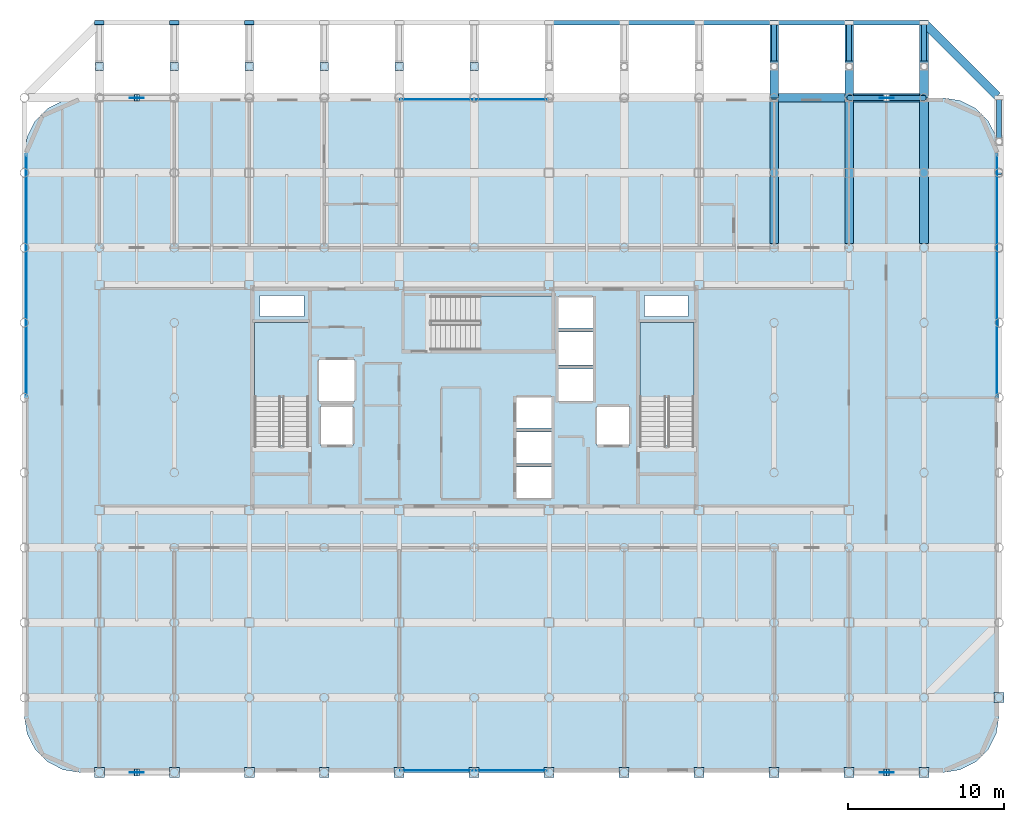
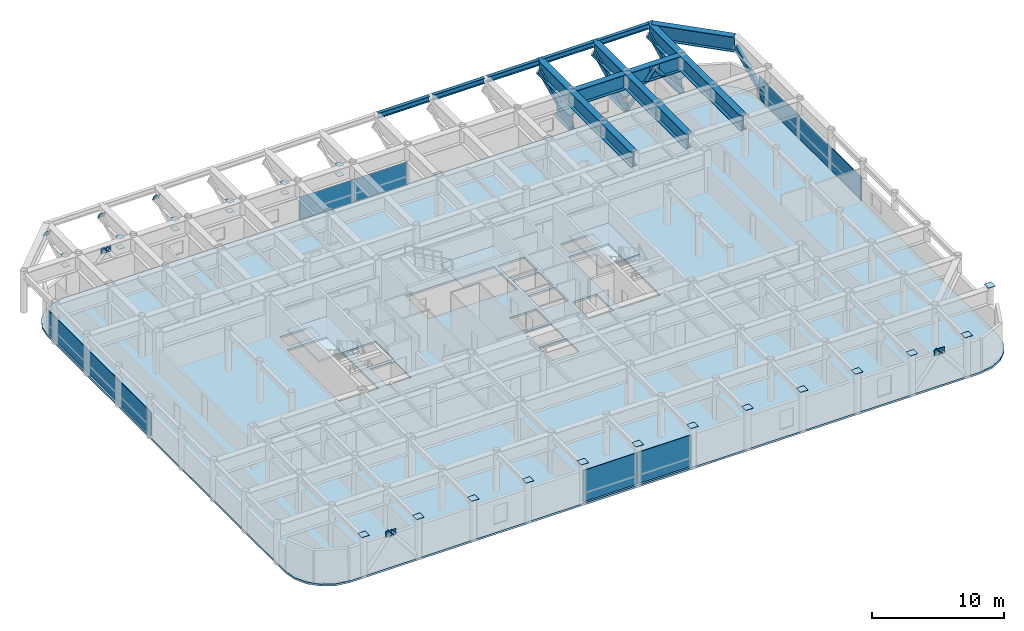
# One storey, part 19 of 24: 44 plates, 14 beams, 6 members, 4 slabs, 7 elements without a shape of their own.
"""IFC4 building model written with IfcOpenShell, lengths in metres."""

from ifc_helpers import new_model, si_unit, direction, frame, origin, origin_2d, place, context, subcontext, project, spatial, polyline, rectangle, hollow_rectangle, hollow_circle, i_section, outline, extrude, material, layer, layer_set, material_profile, profile_set, type_object, element, aggregate, save


model = new_model("IFC4")

# Units and contexts
model_context = context("Model", 3, precision=1e-05, world=origin(), true_north=direction((0.0, 1.0)))
body_context = subcontext(model_context, "Body", "Model", "MODEL_VIEW")
ifc_project = project(units=[si_unit("LENGTHUNIT", "METRE"), si_unit("AREAUNIT", "SQUARE_METRE"), si_unit("VOLUMEUNIT", "CUBIC_METRE"), si_unit("PLANEANGLEUNIT", "RADIAN"), si_unit("MASSUNIT", "GRAM", prefix="KILO")], contexts=[model_context])

# Site, building, storey
site_placement = place(None, origin())
site = spatial("IfcSite", under=ifc_project, at=site_placement, CompositionType="ELEMENT")
building_placement = place(site_placement, origin())
building = spatial("IfcBuilding", under=site, at=building_placement, Name="Kallvorn Hotel Tower", CompositionType="ELEMENT")
storey_placement = place(building_placement, frame((0.0, 0.0, 218.449951171875)))
storey = spatial("IfcBuildingStorey", under=building, at=storey_placement, Name="L54", CompositionType="ELEMENT", Elevation=218.449951171875)

# Beams
ifc_material_1 = material(Name="Structural steel S355JR", Category="steel")
ifc_material_profile_1 = material_profile(ifc_material_1, i_section(OverallWidth=0.300048828125, OverallDepth=0.5, WebThickness=0.014404296875, FlangeThickness=0.028076171875, at=origin_2d()), Name="HE 500 B")
ifc_profile_set_1 = profile_set([ifc_material_profile_1], Name="Structural steel S355JR")
beam_type_1 = type_object("IfcBeamType", Name="BM_HE500B", PredefinedType="SPANDREL", material=ifc_profile_set_1)
for number, where, z_axis, x_axis, name in (
    (1, (4.949951171875, 24.0, 3.420166015625), (1.0, 0.0, 0.0), (0.0, 1.0, 0.0), "L55 Perimeter Spandrel 182"),
    (2, (9.75, 24.0, 3.420166015625), (1.0, 0.0, 0.0), (0.0, 1.0, 0.0), "L55 Perimeter Spandrel 183"),
    (3, (14.550048828125, 24.0, 3.420166015625), (1.0, 0.0, 0.0), (0.0, 1.0, 0.0), "L55 Perimeter Spandrel 184"),
    (4, (19.35009765625, 24.0, 3.420166015625), (1.0, 0.0, 0.0), (0.0, 1.0, 0.0), "L55 Perimeter Spandrel 185"),
    (5, (24.14990234375, 24.0, 3.420166015625), (1.0, 0.0, 0.0), (0.0, 1.0, 0.0), "L55 Perimeter Spandrel 186"),
):
    element("IfcBeam", number, at=place(storey_placement, frame(where, z_axis=z_axis, x_axis=x_axis)), inside=storey, type_object=beam_type_1, Name=name, PredefinedType="SPANDREL", context=body_context, shape_type="SweptSolid", body=[
        extrude(i_section(OverallWidth=0.300048828125, OverallDepth=0.5, WebThickness=0.014404296875, FlangeThickness=0.028076171875, at=origin_2d()), origin(), (0.0, 0.0, 1.0), 4.5),
    ])
ifc_material_2 = material(Name="Structural steel S355JR", Category="steel")
ifc_material_profile_2 = material_profile(ifc_material_2, i_section(OverallWidth=0.550048828125, OverallDepth=1.39990234375, WebThickness=0.02490234375, FlangeThickness=0.044921875, at=origin_2d()), Name="PG 1400x550x25x45")
ifc_profile_set_2 = profile_set([ifc_material_profile_2], Name="Structural steel S355JR")
beam_type_2 = type_object("IfcBeamType", Name="BM_PG_1400", PredefinedType="BEAM", material=ifc_profile_set_2)
beam_1_placement = place(storey_placement, frame((19.199951171875, 9.869384765625, 2.969970703125), z_axis=(0.0, 1.0, 0.0), x_axis=(-1.0, 0.0, 0.0)))
element("IfcBeam", 6, at=beam_1_placement, inside=storey, type_object=beam_type_2, Name="L55 Continuous Cantilever Transfer Girder 10", PredefinedType="BEAM", context=body_context, shape_type="SweptSolid", body=[
    extrude(i_section(OverallWidth=0.550048828125, OverallDepth=1.39990234375, WebThickness=0.02490234375, FlangeThickness=0.044921875, at=origin_2d()), origin(), (0.0, 0.0, 1.0), 14.310546875),
])
beam_2_placement = place(storey_placement, frame((19.199951171875, 19.199951171875, 0.719970703125), z_axis=(0.0, 1.0, 0.0), x_axis=(-1.0, 0.0, 0.0)))
element("IfcBeam", 7, at=beam_2_placement, inside=storey, type_object=beam_type_2, Name="L55 Cantilever Haunch Corbel 10", PredefinedType="BEAM", context=body_context, shape_type="SweptSolid", body=[
    extrude(i_section(OverallWidth=0.550048828125, OverallDepth=1.39990234375, WebThickness=0.02490234375, FlangeThickness=0.044921875, at=origin_2d()), origin(), (0.0, 0.0, 1.0), 2.35009765625),
])
beam_3_placement = place(storey_placement, frame((24.0, 9.869384765625, 2.969970703125), z_axis=(0.0, 1.0, 0.0), x_axis=(-1.0, 0.0, 0.0)))
element("IfcBeam", 8, at=beam_3_placement, inside=storey, type_object=beam_type_2, Name="L55 Continuous Cantilever Transfer Girder 11", PredefinedType="BEAM", context=body_context, shape_type="SweptSolid", body=[
    extrude(i_section(OverallWidth=0.550048828125, OverallDepth=1.39990234375, WebThickness=0.02490234375, FlangeThickness=0.044921875, at=origin_2d()), origin(), (0.0, 0.0, 1.0), 14.310546875),
])
beam_4_placement = place(storey_placement, frame((24.0, 19.199951171875, 0.719970703125), z_axis=(0.0, 1.0, 0.0), x_axis=(-1.0, 0.0, 0.0)))
element("IfcBeam", 9, at=beam_4_placement, inside=storey, type_object=beam_type_2, Name="L55 Cantilever Haunch Corbel 11", PredefinedType="BEAM", context=body_context, shape_type="SweptSolid", body=[
    extrude(i_section(OverallWidth=0.550048828125, OverallDepth=1.39990234375, WebThickness=0.02490234375, FlangeThickness=0.044921875, at=origin_2d()), origin(), (0.0, 0.0, 1.0), 2.35009765625),
])
beam_5_placement = place(storey_placement, frame((28.800048828125, 9.869384765625, 2.969970703125), z_axis=(0.0, 1.0, 0.0), x_axis=(-1.0, 0.0, 0.0)))
element("IfcBeam", 10, at=beam_5_placement, inside=storey, type_object=beam_type_2, Name="L55 Continuous Cantilever Transfer Girder 12", PredefinedType="BEAM", context=body_context, shape_type="SweptSolid", body=[
    extrude(i_section(OverallWidth=0.550048828125, OverallDepth=1.39990234375, WebThickness=0.02490234375, FlangeThickness=0.044921875, at=origin_2d()), origin(), (0.0, 0.0, 1.0), 14.310546875),
])
beam_6_placement = place(storey_placement, frame((28.800048828125, 19.199951171875, 0.719970703125), z_axis=(0.0, 1.0, 0.0), x_axis=(-1.0, 0.0, 0.0)))
element("IfcBeam", 11, at=beam_6_placement, inside=storey, type_object=beam_type_2, Name="L55 Cantilever Haunch Corbel 12", PredefinedType="BEAM", context=body_context, shape_type="SweptSolid", body=[
    extrude(i_section(OverallWidth=0.550048828125, OverallDepth=1.39990234375, WebThickness=0.02490234375, FlangeThickness=0.044921875, at=origin_2d()), origin(), (0.0, 0.0, 1.0), 2.35009765625),
])
for number, where, z_axis, x_axis, name in (
    (12, (19.45458984375, 19.199951171875, 2.969970703125), (1.0, 0.0, 0.0), (0.0, 1.0, 0.0), "L55 Primary X-Girder 84"),
    (13, (24.25439453125, 19.199951171875, 2.969970703125), (1.0, 0.0, 0.0), (0.0, 1.0, 0.0), "L55 Primary X-Girder 85"),
):
    element("IfcBeam", number, at=place(storey_placement, frame(where, z_axis=z_axis, x_axis=x_axis)), inside=storey, type_object=beam_type_2, Name=name, PredefinedType="BEAM", context=body_context, shape_type="SweptSolid", body=[
        extrude(i_section(OverallWidth=0.550048828125, OverallDepth=1.39990234375, WebThickness=0.02490234375, FlangeThickness=0.044921875, at=origin_2d()), origin(), (0.0, 0.0, 1.0), 4.291015625),
    ])
beam_7_placement = place(storey_placement, frame((33.493896484375, 19.30615234375, 2.969970703125), z_axis=(-0.707125595474, 0.707087966398, 0.0), x_axis=(-0.707087966398, -0.707125595474, 0.0)))
element("IfcBeam", 14, at=beam_7_placement, inside=storey, type_object=beam_type_2, Name="L55 Rounded Corner Tie Beam 204", PredefinedType="BEAM", context=body_context, shape_type="SweptSolid", body=[
    extrude(i_section(OverallWidth=0.550048828125, OverallDepth=1.39990234375, WebThickness=0.02490234375, FlangeThickness=0.044921875, at=origin_2d()), origin(), (0.0, 0.0, 1.0), 6.488037109375),
])

# Members
ifc_material_3 = material(Name="Structural steel S355J2H", Category="steel")
ifc_material_profile_3 = material_profile(ifc_material_3, hollow_circle(Radius=0.177734375, WallThickness=0.01416015625, at=origin_2d()), Name="CHS 355.6x14.2")
ifc_profile_set_3 = profile_set([ifc_material_profile_3], Name="Structural steel S355J2H")
member_type_1 = type_object("IfcMemberType", Name="MBR_EXO_CHS355", PredefinedType="BRACE", material=ifc_profile_set_3)
for number, where, z_axis, x_axis, name in (
    (15, (24.012451171875, 19.199951171875, 0.19580078125), (0.620928510901, 0.0, 0.783867198159), (0.0, 1.0, 0.0), "L54 Exoskeleton K-Brace N2A"),
    (16, (28.78759765625, 19.199951171875, 0.19580078125), (-0.620928510901, 0.0, 0.783867198159), (0.0, -1.0, 0.0), "L54 Exoskeleton K-Brace N2B"),
):
    element("IfcMember", number, at=place(storey_placement, frame(where, z_axis=z_axis, x_axis=x_axis)), inside=storey, type_object=member_type_1, Name=name, PredefinedType="BRACE", context=body_context, shape_type="SweptSolid", body=[
        extrude(hollow_circle(Radius=0.177734375, WallThickness=0.01416015625, at=origin_2d()), origin(), (0.0, 0.0, 1.0), 3.8251953125),
    ])
ifc_material_4 = material(Name="Structural steel S355J2H", Category="steel")
ifc_material_profile_4 = material_profile(ifc_material_4, hollow_rectangle(XDim=0.300048828125, YDim=0.5, WallThickness=0.02490234375, at=origin_2d()), Name="RHS 500x300x25")
ifc_profile_set_4 = profile_set([ifc_material_profile_4], Name="Structural steel S355J2H")
member_type_2 = type_object("IfcMemberType", Name="MBR_OUTRIGGER_RHS500", PredefinedType="BRACE", material=ifc_profile_set_4)
for number, where, z_axis, x_axis, name in (
    (17, (19.199951171875, 19.199951171875, 0.25), (0.0, 0.896650696442, 0.442738668484), (-1.0, 0.0, 0.0), "L55 Exoskeleton Cantilever Raking Strut 10"),
    (18, (24.0, 19.199951171875, 0.25), (0.0, 0.896650696442, 0.442738668484), (-1.0, 0.0, 0.0), "L55 Exoskeleton Cantilever Raking Strut 11"),
    (19, (28.800048828125, 19.199951171875, 0.25), (0.0, 0.896650696442, 0.442738668484), (-1.0, 0.0, 0.0), "L55 Exoskeleton Cantilever Raking Strut 12"),
    (20, (33.60009765625, 14.39990234375, 0.25), (0.0, 0.896650696442, 0.442738668484), (-1.0, 0.0, 0.0), "L55 Exoskeleton Cantilever Raking Strut 13"),
):
    element("IfcMember", number, at=place(storey_placement, frame(where, z_axis=z_axis, x_axis=x_axis)), inside=storey, type_object=member_type_2, Name=name, PredefinedType="BRACE", context=body_context, shape_type="SweptSolid", body=[
        extrude(hollow_rectangle(XDim=0.300048828125, YDim=0.5, WallThickness=0.02490234375, at=origin_2d()), origin(), (0.0, 0.0, 1.0), 5.353271484375),
    ])

# Curtain wall, plates
ifc_material_5 = material(Name="Thermally broken black-anodised aluminium AA 6063-T6", Category="aluminium")
ifc_layer_1 = layer(ifc_material_5, 0.22998046875)
ifc_layer_set_1 = layer_set([ifc_layer_1], Name="CW_SYS_5_HOTEL_HIGH")
curtain_wall_type = type_object("IfcCurtainWallType", Name="CW_SYS_5_HOTEL_HIGH", PredefinedType="USERDEFINED", material=ifc_layer_set_1)
curtain_wall_1_placement = place(storey_placement, origin())
curtain_wall_1 = element("IfcCurtainWall", 21, at=curtain_wall_1_placement, inside=storey, type_object=curtain_wall_type, Name="L54 Dark-Glass Curtain Wall CW-L54-SC", ObjectType="UNITISED CURTAIN WALL", PredefinedType="USERDEFINED")
ifc_material_6 = material(Name="Triple-glazed low-e acoustic solar-control dark glass", Category="glass")
ifc_layer_2 = layer(ifc_material_6, 0.04150390625)
ifc_layer_set_2 = layer_set([ifc_layer_2], Name="CW_SYS_5_HOTEL_HIGH_PANEL")
plate_type_1 = type_object("IfcPlateType", Name="CW_SYS_5_HOTEL_HIGH_PANEL", PredefinedType="CURTAIN_PANEL", material=ifc_layer_set_2)
plate_1_placement = place(storey_placement, frame((-2.375, -23.8798828125, 0.06005859375), z_axis=(0.0, 0.0, 1.0), x_axis=(1.0, 0.0, 0.0)))
plate_1 = element("IfcPlate", 22, at=plate_1_placement, type_object=plate_type_1, Name="CW-L54-SC Vision Glass Panel 00", PredefinedType="CURTAIN_PANEL", context=body_context, shape_type="SweptSolid", body=[
    extrude(rectangle(XDim=4.68994140625, YDim=0.04150390625, at=origin_2d()), origin(), (0.0, 0.0, 1.0), 2.89990234375),
])
plate_2_placement = place(storey_placement, frame((2.375, -23.8798828125, 0.06005859375), z_axis=(0.0, 0.0, 1.0), x_axis=(1.0, 0.0, 0.0)))
plate_2 = element("IfcPlate", 23, at=plate_2_placement, type_object=plate_type_1, Name="CW-L54-SC Vision Glass Panel 01", PredefinedType="CURTAIN_PANEL", context=body_context, shape_type="SweptSolid", body=[
    extrude(rectangle(XDim=4.68994140625, YDim=0.04150390625, at=origin_2d()), origin(), (0.0, 0.0, 1.0), 2.89990234375),
])
aggregate(curtain_wall_1, [plate_1, plate_2])

curtain_wall_2_placement = place(storey_placement, origin())
curtain_wall_2 = element("IfcCurtainWall", 24, at=curtain_wall_2_placement, inside=storey, type_object=curtain_wall_type, Name="L54 Dark-Glass Curtain Wall CW-L54-NC", ObjectType="UNITISED CURTAIN WALL", PredefinedType="USERDEFINED")
plate_3_placement = place(storey_placement, frame((-2.375, 19.080078125, 0.06005859375), z_axis=(0.0, 0.0, 1.0), x_axis=(1.0, 0.0, 0.0)))
plate_3 = element("IfcPlate", 25, at=plate_3_placement, type_object=plate_type_1, Name="CW-L54-NC Vision Glass Panel 00", PredefinedType="CURTAIN_PANEL", context=body_context, shape_type="SweptSolid", body=[
    extrude(rectangle(XDim=4.68994140625, YDim=0.04150390625, at=origin_2d()), origin(), (0.0, 0.0, 1.0), 2.14990234375),
])
plate_4_placement = place(storey_placement, frame((2.375, 19.080078125, 0.06005859375), z_axis=(0.0, 0.0, 1.0), x_axis=(1.0, 0.0, 0.0)))
plate_4 = element("IfcPlate", 26, at=plate_4_placement, type_object=plate_type_1, Name="CW-L54-NC Vision Glass Panel 01", PredefinedType="CURTAIN_PANEL", context=body_context, shape_type="SweptSolid", body=[
    extrude(rectangle(XDim=4.68994140625, YDim=0.04150390625, at=origin_2d()), origin(), (0.0, 0.0, 1.0), 2.14990234375),
])
aggregate(curtain_wall_2, [plate_3, plate_4])

# Curtain wall, plate
curtain_wall_3_placement = place(storey_placement, origin())
curtain_wall_3 = element("IfcCurtainWall", 27, at=curtain_wall_3_placement, inside=storey, type_object=curtain_wall_type, Name="L54 Dark-Glass Curtain Wall CW-L54-WN", ObjectType="UNITISED CURTAIN WALL", PredefinedType="USERDEFINED")
plate_5_placement = place(storey_placement, frame((-28.679931640625, 7.81005859375, 0.06005859375), z_axis=(0.0, 0.0, 1.0), x_axis=(0.0, 1.0, 0.0)))
plate_5 = element("IfcPlate", 28, at=plate_5_placement, type_object=plate_type_1, Name="CW-L54-WN Vision Glass Panel 00", PredefinedType="CURTAIN_PANEL", context=body_context, shape_type="SweptSolid", body=[
    extrude(rectangle(XDim=15.52001953125, YDim=0.04150390625, at=origin_2d()), origin(), (0.0, 0.0, 1.0), 2.14990234375),
])
aggregate(curtain_wall_3, [plate_5])

curtain_wall_4_placement = place(storey_placement, origin())
curtain_wall_4 = element("IfcCurtainWall", 29, at=curtain_wall_4_placement, inside=storey, type_object=curtain_wall_type, Name="L54 Dark-Glass Curtain Wall CW-L54-EN", ObjectType="UNITISED CURTAIN WALL", PredefinedType="USERDEFINED")
plate_6_placement = place(storey_placement, frame((33.47998046875, 7.81005859375, 0.06005859375), z_axis=(0.0, 0.0, 1.0), x_axis=(0.0, 1.0, 0.0)))
plate_6 = element("IfcPlate", 30, at=plate_6_placement, type_object=plate_type_1, Name="CW-L54-EN Vision Glass Panel 00", PredefinedType="CURTAIN_PANEL", context=body_context, shape_type="SweptSolid", body=[
    extrude(rectangle(XDim=15.52001953125, YDim=0.04150390625, at=origin_2d()), origin(), (0.0, 0.0, 1.0), 2.14990234375),
])
aggregate(curtain_wall_4, [plate_6])

# Plates
ifc_material_7 = material(Name="Structural steel S355JR", Category="steel")
ifc_layer_3 = layer(ifc_material_7, 0.030029296875)
ifc_layer_set_3 = layer_set([ifc_layer_3], Name="PLT_CAP_30")
plate_type_2 = type_object("IfcPlateType", Name="PLT_CAP_30", PredefinedType="SHEET", material=ifc_layer_set_3)
for number, where, z_axis, x_axis, name in (
    (31, (-24.0, -24.0, 3.85009765625), (0.0, 0.0, 1.0), (1.0, 0.0, 0.0), "L54 Hollow Column Top End Cap Plate 0243"),
    (32, (-19.199951171875, -24.0, 3.85009765625), (0.0, 0.0, 1.0), (1.0, 0.0, 0.0), "L54 Hollow Column Top End Cap Plate 0244"),
    (33, (-14.39990234375, -24.0, 3.85009765625), (0.0, 0.0, 1.0), (1.0, 0.0, 0.0), "L54 Hollow Column Top End Cap Plate 0245"),
    (34, (-9.60009765625, -24.0, 3.85009765625), (0.0, 0.0, 1.0), (1.0, 0.0, 0.0), "L54 Hollow Column Top End Cap Plate 0246"),
    (35, (-4.800048828125, -24.0, 3.85009765625), (0.0, 0.0, 1.0), (1.0, 0.0, 0.0), "L54 Hollow Column Top End Cap Plate 0247"),
    (36, (0.0, -24.0, 3.85009765625), (0.0, 0.0, 1.0), (1.0, 0.0, 0.0), "L54 Hollow Column Top End Cap Plate 0248"),
    (37, (4.800048828125, -24.0, 3.85009765625), (0.0, 0.0, 1.0), (1.0, 0.0, 0.0), "L54 Hollow Column Top End Cap Plate 0249"),
    (38, (9.60009765625, -24.0, 3.85009765625), (0.0, 0.0, 1.0), (1.0, 0.0, 0.0), "L54 Hollow Column Top End Cap Plate 0250"),
    (39, (14.39990234375, -24.0, 3.85009765625), (0.0, 0.0, 1.0), (1.0, 0.0, 0.0), "L54 Hollow Column Top End Cap Plate 0251"),
    (40, (19.199951171875, -24.0, 3.85009765625), (0.0, 0.0, 1.0), (1.0, 0.0, 0.0), "L54 Hollow Column Top End Cap Plate 0252"),
    (41, (24.0, -24.0, 3.85009765625), (0.0, 0.0, 1.0), (1.0, 0.0, 0.0), "L54 Hollow Column Top End Cap Plate 0253"),
    (42, (28.800048828125, -24.0, 3.85009765625), (0.0, 0.0, 1.0), (1.0, 0.0, 0.0), "L54 Hollow Column Top End Cap Plate 0254"),
    (43, (33.60009765625, -19.199951171875, 3.85009765625), (0.0, 0.0, 1.0), (1.0, 0.0, 0.0), "L54 Hollow Column Top End Cap Plate 0255"),
):
    element("IfcPlate", number, at=place(storey_placement, frame(where, z_axis=z_axis, x_axis=x_axis)), inside=storey, type_object=plate_type_2, Name=name, PredefinedType="SHEET", context=body_context, shape_type="SweptSolid", body=[
        extrude(rectangle(XDim=0.638916015625, YDim=0.638916015625, at=origin_2d()), origin(), (0.0, 0.0, 1.0), 0.030029296875),
    ])
for number, where, z_axis, x_axis, name in (
    (44, (-24.0, 21.199951171875, 1.3701171875), (0.0, 0.0, 1.0), (1.0, 0.0, 0.0), "L54 Prop Column End Cap Plate 01B"),
    (45, (-24.0, 21.199951171875, 2.2900390625), (0.0, 0.0, 1.0), (1.0, 0.0, 0.0), "L54 Prop Column End Cap Plate 01T"),
):
    element("IfcPlate", number, at=place(storey_placement, frame(where, z_axis=z_axis, x_axis=x_axis)), inside=storey, type_object=plate_type_2, Name=name, PredefinedType="SHEET", context=body_context, shape_type="SweptSolid", body=[
        extrude(rectangle(XDim=0.52001953125, YDim=0.52001953125, at=origin_2d()), origin(), (0.0, 0.0, 1.0), 0.030029296875),
    ])
plate_7_placement = place(storey_placement, frame((-23.699951171875, 24.15966796875, 2.3642578125), z_axis=(0.0, 0.896693934951, 0.442651089486), x_axis=(-1.0, 0.0, 0.0)))
element("IfcPlate", 46, at=plate_7_placement, inside=storey, type_object=plate_type_2, Name="L54 Cantilever Strut Node Cap 01", PredefinedType="SHEET", context=body_context, shape_type="SweptSolid", body=[
    extrude(outline(polyline([(0.0, 0.0), (0.60009765625, 0.0), (0.60009765625, 0.6000775922830762), (0.0, 0.6000775922830762), (0.0, 0.0)])), origin(), (0.0, 0.0, -1.0), 0.030029296875),
])
for number, where, z_axis, x_axis, name in (
    (47, (-19.199951171875, 21.199951171875, 1.3701171875), (0.0, 0.0, 1.0), (1.0, 0.0, 0.0), "L54 Prop Column End Cap Plate 02B"),
    (48, (-19.199951171875, 21.199951171875, 2.2900390625), (0.0, 0.0, 1.0), (1.0, 0.0, 0.0), "L54 Prop Column End Cap Plate 02T"),
):
    element("IfcPlate", number, at=place(storey_placement, frame(where, z_axis=z_axis, x_axis=x_axis)), inside=storey, type_object=plate_type_2, Name=name, PredefinedType="SHEET", context=body_context, shape_type="SweptSolid", body=[
        extrude(rectangle(XDim=0.52001953125, YDim=0.52001953125, at=origin_2d()), origin(), (0.0, 0.0, 1.0), 0.030029296875),
    ])
plate_8_placement = place(storey_placement, frame((-18.89990234375, 24.15966796875, 2.3642578125), z_axis=(0.0, 0.896693934951, 0.442651089486), x_axis=(-1.0, 0.0, 0.0)))
element("IfcPlate", 49, at=plate_8_placement, inside=storey, type_object=plate_type_2, Name="L54 Cantilever Strut Node Cap 02", PredefinedType="SHEET", context=body_context, shape_type="SweptSolid", body=[
    extrude(outline(polyline([(0.0, 0.0), (0.60009765625, 0.0), (0.60009765625, 0.6000775922830762), (0.0, 0.6000775922830762), (0.0, 0.0)])), origin(), (0.0, 0.0, -1.0), 0.030029296875),
])
for number, where, z_axis, x_axis, name in (
    (50, (-14.39990234375, 21.199951171875, 1.3701171875), (0.0, 0.0, 1.0), (1.0, 0.0, 0.0), "L54 Prop Column End Cap Plate 03B"),
    (51, (-14.39990234375, 21.199951171875, 2.2900390625), (0.0, 0.0, 1.0), (1.0, 0.0, 0.0), "L54 Prop Column End Cap Plate 03T"),
):
    element("IfcPlate", number, at=place(storey_placement, frame(where, z_axis=z_axis, x_axis=x_axis)), inside=storey, type_object=plate_type_2, Name=name, PredefinedType="SHEET", context=body_context, shape_type="SweptSolid", body=[
        extrude(rectangle(XDim=0.52001953125, YDim=0.52001953125, at=origin_2d()), origin(), (0.0, 0.0, 1.0), 0.030029296875),
    ])
plate_9_placement = place(storey_placement, frame((-14.10009765625, 24.15966796875, 2.3642578125), z_axis=(0.0, 0.896693934951, 0.442651089486), x_axis=(-1.0, 0.0, 0.0)))
element("IfcPlate", 52, at=plate_9_placement, inside=storey, type_object=plate_type_2, Name="L54 Cantilever Strut Node Cap 03", PredefinedType="SHEET", context=body_context, shape_type="SweptSolid", body=[
    extrude(outline(polyline([(0.0, 0.0), (0.599853515625, 0.0), (0.599853515625, 0.6000775922830762), (0.0, 0.6000775922830762), (0.0, 0.0)])), origin(), (0.0, 0.0, -1.0), 0.030029296875),
])
for number, where, z_axis, x_axis, name in (
    (53, (-9.60009765625, 21.199951171875, 1.3701171875), (0.0, 0.0, 1.0), (1.0, 0.0, 0.0), "L54 Prop Column End Cap Plate 04B"),
    (54, (-9.60009765625, 21.199951171875, 2.2900390625), (0.0, 0.0, 1.0), (1.0, 0.0, 0.0), "L54 Prop Column End Cap Plate 04T"),
    (55, (-4.800048828125, 21.199951171875, 1.3701171875), (0.0, 0.0, 1.0), (1.0, 0.0, 0.0), "L54 Prop Column End Cap Plate 05B"),
    (56, (-4.800048828125, 21.199951171875, 2.2900390625), (0.0, 0.0, 1.0), (1.0, 0.0, 0.0), "L54 Prop Column End Cap Plate 05T"),
    (57, (0.0, 21.199951171875, 1.3701171875), (0.0, 0.0, 1.0), (1.0, 0.0, 0.0), "L54 Prop Column End Cap Plate 06B"),
    (58, (0.0, 21.199951171875, 2.2900390625), (0.0, 0.0, 1.0), (1.0, 0.0, 0.0), "L54 Prop Column End Cap Plate 06T"),
):
    element("IfcPlate", number, at=place(storey_placement, frame(where, z_axis=z_axis, x_axis=x_axis)), inside=storey, type_object=plate_type_2, Name=name, PredefinedType="SHEET", context=body_context, shape_type="SweptSolid", body=[
        extrude(rectangle(XDim=0.52001953125, YDim=0.52001953125, at=origin_2d()), origin(), (0.0, 0.0, 1.0), 0.030029296875),
    ])
plate_10_placement = place(storey_placement, frame((-21.423095703125, -24.2177734375, 3.082763671875), z_axis=(0.620789123174, 0.0, 0.783977591867), x_axis=(0.0, 1.0, 0.0)))
element("IfcPlate", 59, at=plate_10_placement, inside=storey, type_object=plate_type_2, Name="EXO-L54-S1A End Cap Plate B", PredefinedType="SHEET", context=body_context, shape_type="SweptSolid", body=[
    extrude(outline(polyline([(0.0, 0.0), (0.435546875, 0.0), (0.435546875, 0.4353550373005464), (0.0, 0.4353550373005464), (0.0, 0.0)])), origin(), (0.0, 0.0, -1.0), 0.030029296875),
])
plate_11_placement = place(storey_placement, frame((-21.777099609375, -23.7822265625, 3.082763671875), z_axis=(-0.620516279972, 0.0, 0.7841935643), x_axis=(0.0, -1.0, 0.0)))
element("IfcPlate", 60, at=plate_11_placement, inside=storey, type_object=plate_type_2, Name="EXO-L54-S1B End Cap Plate B", PredefinedType="SHEET", context=body_context, shape_type="SweptSolid", body=[
    extrude(outline(polyline([(0.0, 0.0), (0.435546875, 0.0), (0.435546875, 0.43554646444942813), (0.0, 0.43554646444942813), (0.0, 0.0)])), origin(), (0.0, 0.0, -1.0), 0.030029296875),
])
plate_12_placement = place(storey_placement, frame((26.576904296875, -24.2177734375, 3.082763671875), z_axis=(0.620789123174, 0.0, 0.783977591867), x_axis=(0.0, 1.0, 0.0)))
element("IfcPlate", 61, at=plate_12_placement, inside=storey, type_object=plate_type_2, Name="EXO-L54-S2A End Cap Plate B", PredefinedType="SHEET", context=body_context, shape_type="SweptSolid", body=[
    extrude(outline(polyline([(0.0, 0.0), (0.435546875, 0.0), (0.435546875, 0.4353550373005464), (0.0, 0.4353550373005464), (0.0, 0.0)])), origin(), (0.0, 0.0, -1.0), 0.030029296875),
])
plate_13_placement = place(storey_placement, frame((26.222900390625, -23.7822265625, 3.082763671875), z_axis=(-0.620516279972, 0.0, 0.7841935643), x_axis=(0.0, -1.0, 0.0)))
element("IfcPlate", 62, at=plate_13_placement, inside=storey, type_object=plate_type_2, Name="EXO-L54-S2B End Cap Plate B", PredefinedType="SHEET", context=body_context, shape_type="SweptSolid", body=[
    extrude(outline(polyline([(0.0, 0.0), (0.435546875, 0.0), (0.435546875, 0.43554646444942813), (0.0, 0.43554646444942813), (0.0, 0.0)])), origin(), (0.0, 0.0, -1.0), 0.030029296875),
])
plate_14_placement = place(storey_placement, frame((-21.423095703125, 18.982177734375, 3.082763671875), z_axis=(0.620789123174, 0.0, 0.783977591867), x_axis=(0.0, 1.0, 0.0)))
element("IfcPlate", 63, at=plate_14_placement, inside=storey, type_object=plate_type_2, Name="EXO-L54-N1A End Cap Plate B", PredefinedType="SHEET", context=body_context, shape_type="SweptSolid", body=[
    extrude(outline(polyline([(0.0, 0.0), (0.435546875, 0.0), (0.435546875, 0.4353550373005464), (0.0, 0.4353550373005464), (0.0, 0.0)])), origin(), (0.0, 0.0, -1.0), 0.030029296875),
])
plate_15_placement = place(storey_placement, frame((-21.777099609375, 19.417724609375, 3.082763671875), z_axis=(-0.620516279972, 0.0, 0.7841935643), x_axis=(0.0, -1.0, 0.0)))
element("IfcPlate", 64, at=plate_15_placement, inside=storey, type_object=plate_type_2, Name="EXO-L54-N1B End Cap Plate B", PredefinedType="SHEET", context=body_context, shape_type="SweptSolid", body=[
    extrude(outline(polyline([(0.0, 0.0), (0.435546875, 0.0), (0.435546875, 0.43554646444942813), (0.0, 0.43554646444942813), (0.0, 0.0)])), origin(), (0.0, 0.0, -1.0), 0.030029296875),
])
ifc_material_8 = material(Name="Structural steel S355JR", Category="steel")
ifc_layer_4 = layer(ifc_material_8, 0.034912109375)
ifc_layer_set_4 = layer_set([ifc_layer_4], Name="PLT_GUSSET_35")
plate_type_3 = type_object("IfcPlateType", Name="PLT_GUSSET_35", PredefinedType="USERDEFINED", material=ifc_layer_set_4)
for number, where, z_axis, x_axis, name in (
    (65, (-21.60009765625, -24.0, 2.89013671875), (0.0, 0.0, 1.0), (1.0, 0.0, 0.0), "L54 Exoskeleton Node Gusset S1"),
    (66, (26.39990234375, -24.0, 2.89013671875), (0.0, 0.0, 1.0), (1.0, 0.0, 0.0), "L54 Exoskeleton Node Gusset S2"),
    (67, (-21.60009765625, 19.199951171875, 2.89013671875), (0.0, 0.0, 1.0), (1.0, 0.0, 0.0), "L54 Exoskeleton Node Gusset N1"),
    (68, (26.39990234375, 19.199951171875, 2.89013671875), (0.0, 0.0, 1.0), (1.0, 0.0, 0.0), "L54 Exoskeleton Node Gusset N2"),
):
    element("IfcPlate", number, at=place(storey_placement, frame(where, z_axis=z_axis, x_axis=x_axis)), inside=storey, type_object=plate_type_3, Name=name, ObjectType="GUSSET PLATE", PredefinedType="USERDEFINED", context=body_context, shape_type="SweptSolid", body=[
        extrude(rectangle(XDim=0.89990234375, YDim=0.034912109375, at=origin_2d()), origin(), (0.0, 0.0, 1.0), 0.56005859375),
    ])

# Stair, slab
ifc_material_9 = material(Name="Precast concrete C40/50", Category="concrete")
stair_type = type_object("IfcStairType", Name="STR_CORE_DOGLEG", PredefinedType="HALF_TURN_STAIR", material=ifc_material_9)
stair_1_placement = place(storey_placement, origin())
stair_1 = element("IfcStair", 69, at=stair_1_placement, inside=storey, type_object=stair_type, Name="L54 Exit stair ST1", PredefinedType="HALF_TURN_STAIR")
ifc_material_10 = material(Name="Precast concrete C40/50", Category="concrete")
ifc_layer_5 = layer(ifc_material_10, 0.179931640625)
ifc_layer_set_5 = layer_set([ifc_layer_5], Name="SLB_LANDING_180")
slab_type_1 = type_object("IfcSlabType", Name="SLB_LANDING_180", PredefinedType="LANDING", material=ifc_layer_set_5)
slab_1_placement = place(storey_placement, frame((0.0, 0.0, 1.72509765625)))
slab_1 = element("IfcSlab", 70, at=slab_1_placement, type_object=slab_type_1, Name="ST1 landing 1", PredefinedType="LANDING", context=body_context, shape_type="SweptSolid", body=[
    extrude(outline(polyline([(-10.60009765625, 0.010009765625), (-10.60009765625, 4.800048828125), (-14.06005859375, 4.800048828125), (-14.06005859375, 0.010009765625), (-10.60009765625, 0.010009765625)])), origin(), (0.0, 0.0, 1.0), 0.199951171875),
])
aggregate(stair_1, [slab_1])

stair_2_placement = place(storey_placement, origin())
stair_2 = element("IfcStair", 71, at=stair_2_placement, inside=storey, type_object=stair_type, Name="L54 Exit stair ST2", PredefinedType="HALF_TURN_STAIR")
slab_2_placement = place(storey_placement, frame((0.0, 0.0, 1.72509765625)))
slab_2 = element("IfcSlab", 72, at=slab_2_placement, type_object=slab_type_1, Name="ST2 landing 1", PredefinedType="LANDING", context=body_context, shape_type="SweptSolid", body=[
    extrude(outline(polyline([(14.06005859375, 0.010009765625), (14.06005859375, 4.800048828125), (10.60009765625, 4.800048828125), (10.60009765625, 0.010009765625), (14.06005859375, 0.010009765625)])), origin(), (0.0, 0.0, 1.0), 0.199951171875),
])
aggregate(stair_2, [slab_2])

stair_3_placement = place(storey_placement, origin())
stair_3 = element("IfcStair", 73, at=stair_3_placement, inside=storey, type_object=stair_type, Name="L54 Exit stair ST3", PredefinedType="HALF_TURN_STAIR")
slab_3_placement = place(storey_placement, frame((0.0, 0.0, 1.72509765625)))
slab_3 = element("IfcSlab", 74, at=slab_3_placement, type_object=slab_type_1, Name="ST3 landing 1", PredefinedType="LANDING", context=body_context, shape_type="SweptSolid", body=[
    extrude(outline(polyline([(0.360107421875, 3.050048828125), (5.050048828125, 3.050048828125), (5.050048828125, 6.510009765625), (0.360107421875, 6.510009765625), (0.360107421875, 3.050048828125)])), origin(), (0.0, 0.0, 1.0), 0.199951171875),
])
aggregate(stair_3, [slab_3])

# Slab
ifc_material_11 = material(Name="Concrete C40/50", Category="concrete")
ifc_layer_6 = layer(ifc_material_11, 0.179931640625)
ifc_layer_set_6 = layer_set([ifc_layer_6], Name="SLB_TOWER_180")
slab_type_2 = type_object("IfcSlabType", Name="SLB_TOWER_180", PredefinedType="FLOOR", material=ifc_layer_set_6)
slab_4_placement = place(storey_placement, frame((0.0, 0.0, -0.179931640625)))
element("IfcSlab", 75, at=slab_4_placement, inside=storey, type_object=slab_type_2, Name="L54 Structural Floor Slab", PredefinedType="FLOOR", context=body_context, shape_type="SweptSolid", body=[
    extrude(outline(polyline([(30.0, -24.0), (31.112548828125, -23.82373046875), (32.115966796875, -23.3125), (32.91259765625, -22.51611328125), (33.423828125, -21.512451171875), (33.60009765625, -20.39990234375), (33.60009765625, 15.60009765625), (33.423828125, 16.71240234375), (32.91259765625, 17.716064453125), (32.115966796875, 18.512451171875), (31.112548828125, 19.023681640625), (30.0, 19.199951171875), (-25.199951171875, 19.199951171875), (-26.3125, 19.023681640625), (-27.31591796875, 18.512451171875), (-28.112548828125, 17.716064453125), (-28.623779296875, 16.71240234375), (-28.800048828125, 15.60009765625), (-28.800048828125, -20.39990234375), (-28.623779296875, -21.512451171875), (-28.112548828125, -22.51611328125), (-27.31591796875, -23.3125), (-26.3125, -23.82373046875), (-25.199951171875, -24.0), (30.0, -24.0)]), holes=[polyline([(-10.60009765625, -3.070068359375), (-10.60009765625, 4.800048828125), (-14.06005859375, 4.800048828125), (-14.06005859375, -3.070068359375), (-10.60009765625, -3.070068359375)]), polyline([(14.06005859375, -3.070068359375), (14.06005859375, 4.800048828125), (10.60009765625, 4.800048828125), (10.60009765625, -3.070068359375), (14.06005859375, -3.070068359375)]), polyline([(-2.719970703125, 3.050048828125), (5.050048828125, 3.050048828125), (5.050048828125, 6.510009765625), (-2.719970703125, 6.510009765625), (-2.719970703125, 3.050048828125)]), polyline([(2.64990234375, -6.449951171875), (5.0, -6.449951171875), (5.0, -4.449951171875), (2.64990234375, -4.449951171875), (2.64990234375, -6.449951171875)]), polyline([(2.64990234375, -4.199951171875), (5.0, -4.199951171875), (5.0, -2.199951171875), (2.64990234375, -2.199951171875), (2.64990234375, -4.199951171875)]), polyline([(2.64990234375, -1.949951171875), (5.0, -1.949951171875), (5.0, 0.050048828125), (2.64990234375, 0.050048828125), (2.64990234375, -1.949951171875)]), polyline([(5.35009765625, -0.25), (7.64990234375, -0.25), (7.64990234375, 1.85009765625), (5.35009765625, 1.85009765625), (5.35009765625, -0.25)]), polyline([(5.35009765625, 2.10009765625), (7.64990234375, 2.10009765625), (7.64990234375, 4.199951171875), (5.35009765625, 4.199951171875), (5.35009765625, 2.10009765625)]), polyline([(5.35009765625, 4.449951171875), (7.64990234375, 4.449951171875), (7.64990234375, 6.449951171875), (5.35009765625, 6.449951171875), (5.35009765625, 4.449951171875)]), polyline([(-9.85009765625, -3.050048828125), (-7.75, -3.050048828125), (-7.75, -0.550048828125), (-9.85009765625, -0.550048828125), (-9.85009765625, -3.050048828125)]), polyline([(7.85009765625, -3.050048828125), (9.949951171875, -3.050048828125), (9.949951171875, -0.550048828125), (7.85009765625, -0.550048828125), (7.85009765625, -3.050048828125)]), polyline([(-9.949951171875, -0.25), (-7.64990234375, -0.25), (-7.64990234375, 2.449951171875), (-9.949951171875, 2.449951171875), (-9.949951171875, -0.25)]), polyline([(-13.699951171875, 5.199951171875), (-10.89990234375, 5.199951171875), (-10.89990234375, 6.550048828125), (-13.699951171875, 6.550048828125), (-13.699951171875, 5.199951171875)]), polyline([(10.89990234375, 5.199951171875), (13.699951171875, 5.199951171875), (13.699951171875, 6.550048828125), (10.89990234375, 6.550048828125), (10.89990234375, 5.199951171875)])]), origin(), (0.0, 0.0, 1.0), 0.179931640625),
])

save(model, "model.ifc")
